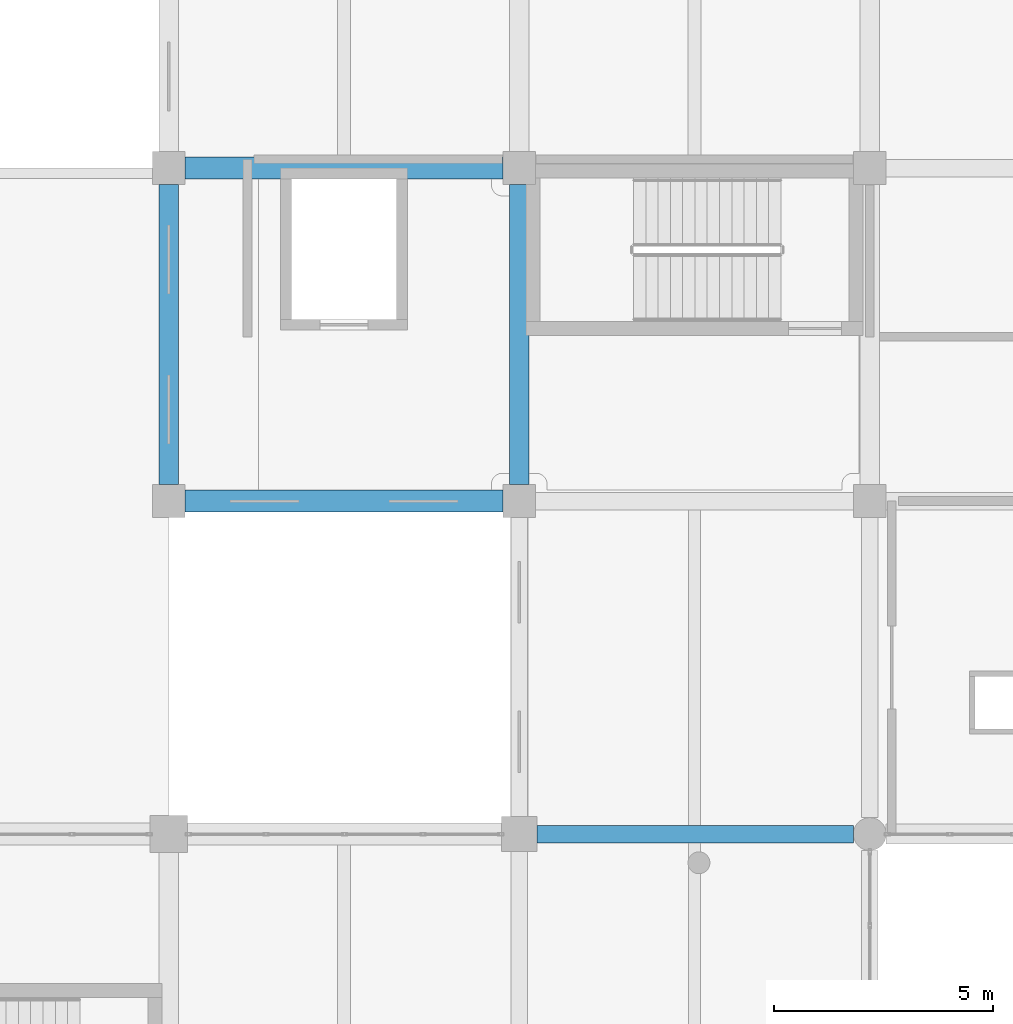
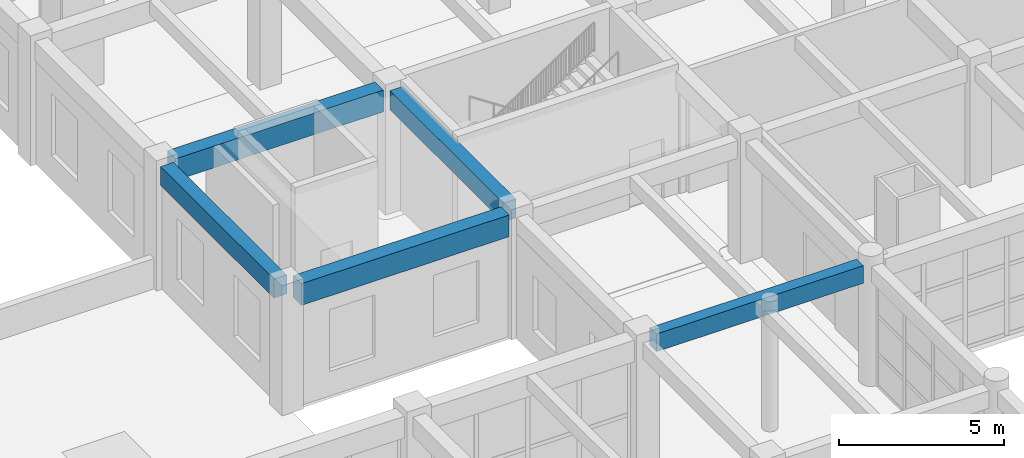
# One storey, part 46 of 101: 5 beams.
"""IFC4 building model written with IfcOpenShell, lengths in metres."""

from ifc_helpers import new_model, si_unit, direction, frame, origin, origin_2d, place, context, subcontext, project, spatial, rectangle, extrude, material, material_profile, profile_set, type_object, element, save


model = new_model("IFC4")

# Units and contexts
model_context = context("Model", 3, precision=1e-05, world=origin(), true_north=direction((0.0, 1.0)))
body_context = subcontext(model_context, "Body", "Model", "MODEL_VIEW")
ifc_project = project(units=[si_unit("LENGTHUNIT", "METRE"), si_unit("AREAUNIT", "SQUARE_METRE"), si_unit("VOLUMEUNIT", "CUBIC_METRE"), si_unit("PLANEANGLEUNIT", "RADIAN"), si_unit("MASSUNIT", "GRAM", prefix="KILO")], contexts=[model_context])

# Site, building, storey
site_placement = place(None, origin())
site = spatial("IfcSite", under=ifc_project, at=site_placement, CompositionType="ELEMENT")
building_placement = place(site_placement, origin())
building = spatial("IfcBuilding", under=site, at=building_placement, Name="Zantavel Square City Hall", CompositionType="ELEMENT")
storey_placement = place(building_placement, frame((0.0, 0.0, 5.39990234375)))
storey = spatial("IfcBuildingStorey", under=building, at=storey_placement, Name="L02", CompositionType="ELEMENT", Elevation=5.39990234375)

# Beams
ifc_material = material(Name="Concrete C35/45", Category="concrete")
ifc_material_profile_1 = material_profile(ifc_material, rectangle(XDim=0.39990234375, YDim=0.64990234375, at=origin_2d()), Name="RC 400x650")
ifc_profile_set_1 = profile_set([ifc_material_profile_1], Name="Concrete C35/45")
beam_type_1 = type_object("IfcBeamType", Name="Frame Beam RC 400x650 C35/45", PredefinedType="BEAM", material=ifc_profile_set_1)
beam_placement = place(storey_placement, frame((112.39990234375, 68.39990234375, 4.125), z_axis=(1.0, 0.0, 0.0), x_axis=(0.0, 1.0, 0.0)))
element("IfcBeam", 1, at=beam_placement, inside=storey, type_object=beam_type_1, Name="L02 Girder BMX-L02-1120-0684", PredefinedType="BEAM", context=body_context, shape_type="SweptSolid", body=[
    extrude(rectangle(XDim=0.39990234375, YDim=0.64990234375, at=origin_2d()), origin(), (0.0, 0.0, 1.0), 7.22509765625),
])
ifc_material_profile_2 = material_profile(ifc_material, rectangle(XDim=0.449951171875, YDim=0.699951171875, at=origin_2d()), Name="RC 450x700")
ifc_profile_set_2 = profile_set([ifc_material_profile_2], Name="Concrete C35/45")
beam_type_2 = type_object("IfcBeamType", Name="Primary Girder RC 450x700 C35/45", PredefinedType="BEAM", material=ifc_profile_set_2)
for number, where, z_axis, x_axis, name in (
    (2, (104.0, 76.375, 4.190185546875), (0.0, 1.0, 0.0), (-1.0, 0.0, 0.0), "L02 Beam BMY-L02-1040-0760"),
    (3, (112.0, 76.375, 4.190185546875), (0.0, 1.0, 0.0), (-1.0, 0.0, 0.0), "L02 Beam BMY-L02-1120-0760"),
):
    element("IfcBeam", number, at=place(storey_placement, frame(where, z_axis=z_axis, x_axis=x_axis)), inside=storey, type_object=beam_type_2, Name=name, PredefinedType="BEAM", context=body_context, shape_type="SweptSolid", body=[
        extrude(rectangle(XDim=0.449951171875, YDim=0.699951171875, at=origin_2d()), origin(), (0.0, 0.0, 1.0), 6.85009765625),
    ])
ifc_material_profile_3 = material_profile(ifc_material, rectangle(XDim=0.5, YDim=0.800048828125, at=origin_2d()), Name="RC 500x800")
ifc_profile_set_3 = profile_set([ifc_material_profile_3], Name="Concrete C35/45")
beam_type_3 = type_object("IfcBeamType", Name="Primary Girder RC 500x800 C35/45", PredefinedType="BEAM", material=ifc_profile_set_3)
for number, where, z_axis, x_axis, name in (
    (4, (104.375, 76.0, 4.14013671875), (1.0, 0.0, 0.0), (0.0, 1.0, 0.0), "L02 Girder BMX-L02-1040-0760"),
    (5, (104.375, 83.60009765625, 4.14013671875), (1.0, 0.0, 0.0), (0.0, 1.0, 0.0), "L02 Girder BMX-L02-1040-0836"),
):
    element("IfcBeam", number, at=place(storey_placement, frame(where, z_axis=z_axis, x_axis=x_axis)), inside=storey, type_object=beam_type_3, Name=name, PredefinedType="BEAM", context=body_context, shape_type="SweptSolid", body=[
        extrude(rectangle(XDim=0.5, YDim=0.800048828125, at=origin_2d()), origin(), (0.0, 0.0, 1.0), 7.25),
    ])

save(model, "model.ifc")
